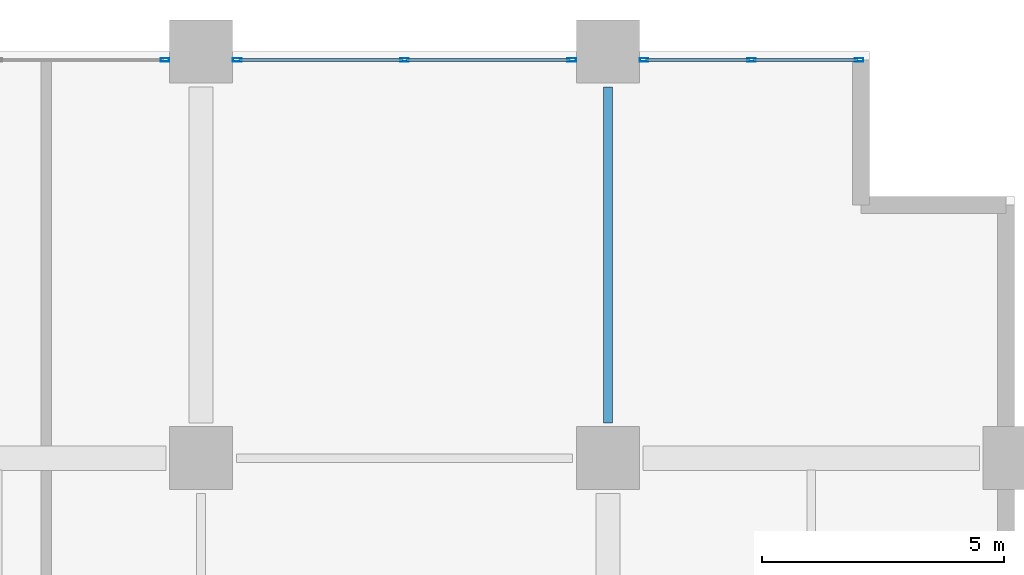
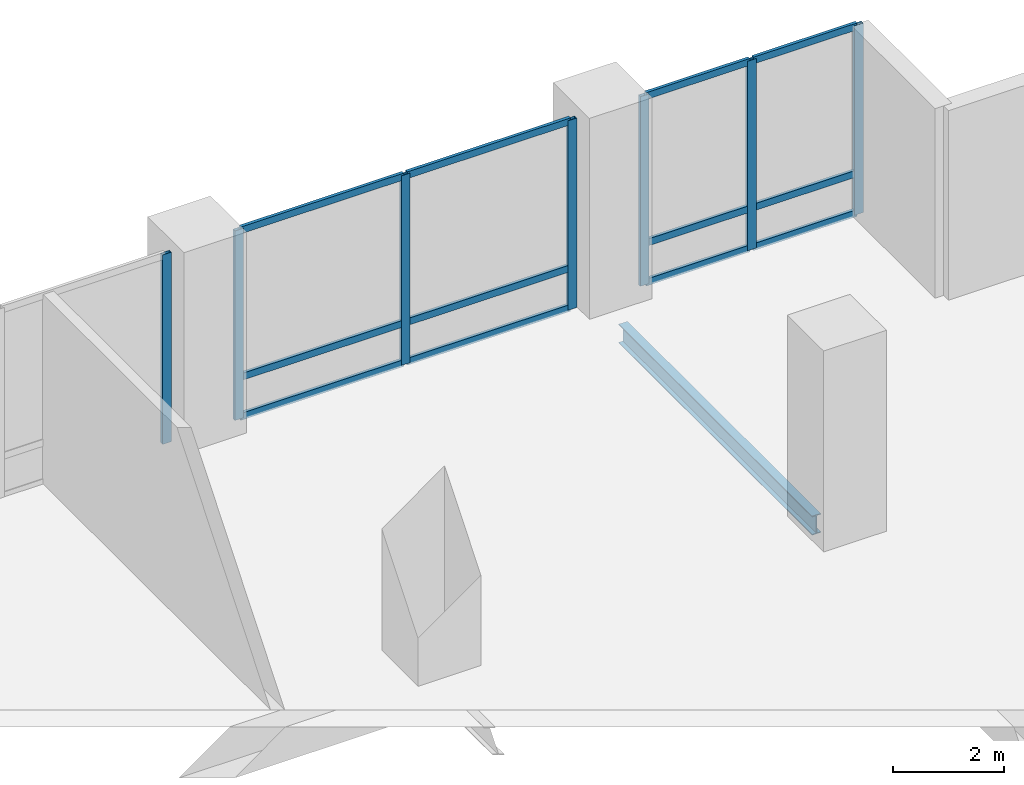
# One storey, part 5 of 21: 19 members, 1 beam, 3 elements without a shape of their own.
"""IFC4 building model written with IfcOpenShell, lengths in metres."""

from ifc_helpers import new_model, si_unit, direction, frame, origin, origin_2d, place, context, subcontext, project, spatial, hollow_rectangle, i_section, extrude, material, layer, layer_set, material_profile, profile_set, type_object, element, aggregate, save


model = new_model("IFC4")

# Units and contexts
model_context = context("Model", 3, precision=1e-05, world=origin(), true_north=direction((0.0, 1.0)))
body_context = subcontext(model_context, "Body", "Model", "MODEL_VIEW")
ifc_project = project(units=[si_unit("LENGTHUNIT", "METRE"), si_unit("AREAUNIT", "SQUARE_METRE"), si_unit("VOLUMEUNIT", "CUBIC_METRE"), si_unit("PLANEANGLEUNIT", "RADIAN"), si_unit("MASSUNIT", "GRAM", prefix="KILO")], contexts=[model_context])

# Site, building, storey
site_placement = place(None, origin())
site = spatial("IfcSite", under=ifc_project, at=site_placement, CompositionType="ELEMENT")
building_placement = place(site_placement, origin())
building = spatial("IfcBuilding", under=site, at=building_placement, Name="Koriwani Terraces Tower", CompositionType="ELEMENT")
storey_placement = place(building_placement, frame((0.0, 0.0, 85.199951171875)))
storey = spatial("IfcBuildingStorey", under=building, at=storey_placement, Name="L20", CompositionType="ELEMENT", Elevation=85.199951171875)

# Curtain wall, member
ifc_material_1 = material(Name="Anodised Bronze Aluminium", Category="aluminium")
ifc_layer = layer(ifc_material_1, 0.179931640625, Name="Anodised Bronze Aluminium")
ifc_layer_set = layer_set([ifc_layer], Name="Anodised Bronze Aluminium")
curtain_wall_type = type_object("IfcCurtainWallType", Name="CW_HOTEL_ZONE2", PredefinedType="NOTDEFINED", material=ifc_layer_set)
curtain_wall_1_placement = place(storey_placement, origin())
curtain_wall_1 = element("IfcCurtainWall", 1, at=curtain_wall_1_placement, inside=storey, type_object=curtain_wall_type, Name="L20 Unitised Curtain Wall (N_TIP) Bay 2", PredefinedType="NOTDEFINED")
ifc_material_profile_1 = material_profile(ifc_material_1, hollow_rectangle(XDim=0.074951171875, YDim=0.179931640625, WallThickness=0.006103515625, at=origin_2d()), Name="Anodised Bronze Aluminium", Category="LoadBearing")
ifc_profile_set_1 = profile_set([ifc_material_profile_1], Name="Anodised Bronze Aluminium")
member_type_1 = type_object("IfcMemberType", Name="CW_MULLION_180X75", PredefinedType="MULLION", material=ifc_profile_set_1)
member_1_placement = place(storey_placement, frame((16.052490234375, 92.22509765625, 0.0), z_axis=(0.0, 0.0, 1.0), x_axis=(0.0, 1.0, 0.0)))
member_1 = element("IfcMember", 2, at=member_1_placement, type_object=member_type_1, Name="CW-Z2 mullion 3", PredefinedType="MULLION", context=body_context, shape_type="SweptSolid", body=[
    extrude(hollow_rectangle(XDim=0.074951171875, YDim=0.179931640625, WallThickness=0.006103515625, at=origin_2d()), origin(), (0.0, 0.0, 1.0), 4.150146484375),
])
aggregate(curtain_wall_1, [member_1])

# Curtain wall, members
curtain_wall_2_placement = place(storey_placement, origin())
curtain_wall_2 = element("IfcCurtainWall", 3, at=curtain_wall_2_placement, inside=storey, type_object=curtain_wall_type, Name="L20 Unitised Curtain Wall (N_TIP) Bay 3", PredefinedType="NOTDEFINED")
member_2_placement = place(storey_placement, frame((17.547607421875, 92.22509765625, 0.0), z_axis=(0.0, 0.0, 1.0), x_axis=(0.0, 1.0, 0.0)))
member_2 = element("IfcMember", 4, at=member_2_placement, type_object=member_type_1, Name="CW-Z2 mullion 1", PredefinedType="MULLION", context=body_context, shape_type="SweptSolid", body=[
    extrude(hollow_rectangle(XDim=0.074951171875, YDim=0.179931640625, WallThickness=0.006103515625, at=origin_2d()), origin(), (0.0, 0.0, 1.0), 4.150146484375),
])
member_3_placement = place(storey_placement, frame((21.0, 92.22509765625, 0.0), z_axis=(0.0, 0.0, 1.0), x_axis=(0.0, 1.0, 0.0)))
member_3 = element("IfcMember", 5, at=member_3_placement, type_object=member_type_1, Name="CW-Z2 mullion 2", PredefinedType="MULLION", context=body_context, shape_type="SweptSolid", body=[
    extrude(hollow_rectangle(XDim=0.074951171875, YDim=0.179931640625, WallThickness=0.006103515625, at=origin_2d()), origin(), (0.0, 0.0, 1.0), 4.150146484375),
])
member_4_placement = place(storey_placement, frame((24.452392578125, 92.22509765625, 0.0), z_axis=(0.0, 0.0, 1.0), x_axis=(0.0, 1.0, 0.0)))
member_4 = element("IfcMember", 6, at=member_4_placement, type_object=member_type_1, Name="CW-Z2 mullion 3", PredefinedType="MULLION", context=body_context, shape_type="SweptSolid", body=[
    extrude(hollow_rectangle(XDim=0.074951171875, YDim=0.179931640625, WallThickness=0.006103515625, at=origin_2d()), origin(), (0.0, 0.0, 1.0), 4.150146484375),
])

curtain_wall_3_placement = place(storey_placement, origin())
curtain_wall_3 = element("IfcCurtainWall", 7, at=curtain_wall_3_placement, inside=storey, type_object=curtain_wall_type, Name="L20 Unitised Curtain Wall (N_TIP) Bay 4", PredefinedType="NOTDEFINED")
member_5_placement = place(storey_placement, frame((25.947509765625, 92.22509765625, 0.0), z_axis=(0.0, 0.0, 1.0), x_axis=(0.0, 1.0, 0.0)))
member_5 = element("IfcMember", 8, at=member_5_placement, type_object=member_type_1, Name="CW-Z2 mullion 1", PredefinedType="MULLION", context=body_context, shape_type="SweptSolid", body=[
    extrude(hollow_rectangle(XDim=0.074951171875, YDim=0.179931640625, WallThickness=0.006103515625, at=origin_2d()), origin(), (0.0, 0.0, 1.0), 4.150146484375),
])
member_6_placement = place(storey_placement, frame((28.16748046875, 92.22509765625, 0.0), z_axis=(0.0, 0.0, 1.0), x_axis=(0.0, 1.0, 0.0)))
member_6 = element("IfcMember", 9, at=member_6_placement, type_object=member_type_1, Name="CW-Z2 mullion 2", PredefinedType="MULLION", context=body_context, shape_type="SweptSolid", body=[
    extrude(hollow_rectangle(XDim=0.074951171875, YDim=0.179931640625, WallThickness=0.006103515625, at=origin_2d()), origin(), (0.0, 0.0, 1.0), 4.150146484375),
])
member_7_placement = place(storey_placement, frame((30.387451171875, 92.22509765625, 0.0), z_axis=(0.0, 0.0, 1.0), x_axis=(0.0, 1.0, 0.0)))
member_7 = element("IfcMember", 10, at=member_7_placement, type_object=member_type_1, Name="CW-Z2 mullion 3", PredefinedType="MULLION", context=body_context, shape_type="SweptSolid", body=[
    extrude(hollow_rectangle(XDim=0.074951171875, YDim=0.179931640625, WallThickness=0.006103515625, at=origin_2d()), origin(), (0.0, 0.0, 1.0), 4.150146484375),
])

# Member
ifc_material_profile_2 = material_profile(ifc_material_1, hollow_rectangle(XDim=0.06494140625, YDim=0.14990234375, WallThickness=0.0048828125, at=origin_2d()), Name="Anodised Bronze Aluminium", Category="LoadBearing")
ifc_profile_set_2 = profile_set([ifc_material_profile_2], Name="Anodised Bronze Aluminium")
member_type_2 = type_object("IfcMemberType", Name="CW_TRANSOM_150X65", PredefinedType="USERDEFINED", material=ifc_profile_set_2)
member_8_placement = place(storey_placement, frame((17.5849609375, 92.22509765625, 0.032470703125), z_axis=(1.0, 0.0, 0.0), x_axis=(0.0, 1.0, 0.0)))
member_8 = element("IfcMember", 11, at=member_8_placement, type_object=member_type_2, Name="CW-Z2 transom 1.1", ObjectType="TRANSOM", PredefinedType="USERDEFINED", context=body_context, shape_type="SweptSolid", body=[
    extrude(hollow_rectangle(XDim=0.06494140625, YDim=0.14990234375, WallThickness=0.0048828125, at=origin_2d()), origin(), (0.0, 0.0, 1.0), 3.37744140625),
])

member_9_placement = place(storey_placement, frame((17.5849609375, 92.22509765625, 0.900146484375), z_axis=(1.0, 0.0, 0.0), x_axis=(0.0, 1.0, 0.0)))
member_9 = element("IfcMember", 12, at=member_9_placement, type_object=member_type_2, Name="CW-Z2 transom 1.2", ObjectType="TRANSOM", PredefinedType="USERDEFINED", context=body_context, shape_type="SweptSolid", body=[
    extrude(hollow_rectangle(XDim=0.06494140625, YDim=0.14990234375, WallThickness=0.0048828125, at=origin_2d()), origin(), (0.0, 0.0, 1.0), 3.37744140625),
])

member_10_placement = place(storey_placement, frame((17.5849609375, 92.22509765625, 4.117431640625), z_axis=(1.0, 0.0, 0.0), x_axis=(0.0, 1.0, 0.0)))
member_10 = element("IfcMember", 13, at=member_10_placement, type_object=member_type_2, Name="CW-Z2 transom 1.3", ObjectType="TRANSOM", PredefinedType="USERDEFINED", context=body_context, shape_type="SweptSolid", body=[
    extrude(hollow_rectangle(XDim=0.06494140625, YDim=0.14990234375, WallThickness=0.0048828125, at=origin_2d()), origin(), (0.0, 0.0, 1.0), 3.37744140625),
])

member_11_placement = place(storey_placement, frame((21.03759765625, 92.22509765625, 0.032470703125), z_axis=(1.0, 0.0, 0.0), x_axis=(0.0, 1.0, 0.0)))
member_11 = element("IfcMember", 14, at=member_11_placement, type_object=member_type_2, Name="CW-Z2 transom 2.1", ObjectType="TRANSOM", PredefinedType="USERDEFINED", context=body_context, shape_type="SweptSolid", body=[
    extrude(hollow_rectangle(XDim=0.06494140625, YDim=0.14990234375, WallThickness=0.0048828125, at=origin_2d()), origin(), (0.0, 0.0, 1.0), 3.37744140625),
])

member_12_placement = place(storey_placement, frame((21.03759765625, 92.22509765625, 0.900146484375), z_axis=(1.0, 0.0, 0.0), x_axis=(0.0, 1.0, 0.0)))
member_12 = element("IfcMember", 15, at=member_12_placement, type_object=member_type_2, Name="CW-Z2 transom 2.2", ObjectType="TRANSOM", PredefinedType="USERDEFINED", context=body_context, shape_type="SweptSolid", body=[
    extrude(hollow_rectangle(XDim=0.06494140625, YDim=0.14990234375, WallThickness=0.0048828125, at=origin_2d()), origin(), (0.0, 0.0, 1.0), 3.37744140625),
])

member_13_placement = place(storey_placement, frame((21.03759765625, 92.22509765625, 4.117431640625), z_axis=(1.0, 0.0, 0.0), x_axis=(0.0, 1.0, 0.0)))
member_13 = element("IfcMember", 16, at=member_13_placement, type_object=member_type_2, Name="CW-Z2 transom 2.3", ObjectType="TRANSOM", PredefinedType="USERDEFINED", context=body_context, shape_type="SweptSolid", body=[
    extrude(hollow_rectangle(XDim=0.06494140625, YDim=0.14990234375, WallThickness=0.0048828125, at=origin_2d()), origin(), (0.0, 0.0, 1.0), 3.37744140625),
])

aggregate(curtain_wall_2, [member_2, member_3, member_4, member_8, member_9, member_10, member_11, member_12, member_13])

member_14_placement = place(storey_placement, frame((25.985107421875, 92.22509765625, 0.032470703125), z_axis=(1.0, 0.0, 0.0), x_axis=(0.0, 1.0, 0.0)))
member_14 = element("IfcMember", 17, at=member_14_placement, type_object=member_type_2, Name="CW-Z2 transom 1.1", ObjectType="TRANSOM", PredefinedType="USERDEFINED", context=body_context, shape_type="SweptSolid", body=[
    extrude(hollow_rectangle(XDim=0.06494140625, YDim=0.14990234375, WallThickness=0.0048828125, at=origin_2d()), origin(), (0.0, 0.0, 1.0), 2.144775390625),
])

member_15_placement = place(storey_placement, frame((25.985107421875, 92.22509765625, 0.900146484375), z_axis=(1.0, 0.0, 0.0), x_axis=(0.0, 1.0, 0.0)))
member_15 = element("IfcMember", 18, at=member_15_placement, type_object=member_type_2, Name="CW-Z2 transom 1.2", ObjectType="TRANSOM", PredefinedType="USERDEFINED", context=body_context, shape_type="SweptSolid", body=[
    extrude(hollow_rectangle(XDim=0.06494140625, YDim=0.14990234375, WallThickness=0.0048828125, at=origin_2d()), origin(), (0.0, 0.0, 1.0), 2.144775390625),
])

member_16_placement = place(storey_placement, frame((25.985107421875, 92.22509765625, 4.117431640625), z_axis=(1.0, 0.0, 0.0), x_axis=(0.0, 1.0, 0.0)))
member_16 = element("IfcMember", 19, at=member_16_placement, type_object=member_type_2, Name="CW-Z2 transom 1.3", ObjectType="TRANSOM", PredefinedType="USERDEFINED", context=body_context, shape_type="SweptSolid", body=[
    extrude(hollow_rectangle(XDim=0.06494140625, YDim=0.14990234375, WallThickness=0.0048828125, at=origin_2d()), origin(), (0.0, 0.0, 1.0), 2.144775390625),
])

member_17_placement = place(storey_placement, frame((28.205078125, 92.22509765625, 0.032470703125), z_axis=(1.0, 0.0, 0.0), x_axis=(0.0, 1.0, 0.0)))
member_17 = element("IfcMember", 20, at=member_17_placement, type_object=member_type_2, Name="CW-Z2 transom 2.1", ObjectType="TRANSOM", PredefinedType="USERDEFINED", context=body_context, shape_type="SweptSolid", body=[
    extrude(hollow_rectangle(XDim=0.06494140625, YDim=0.14990234375, WallThickness=0.0048828125, at=origin_2d()), origin(), (0.0, 0.0, 1.0), 2.14501953125),
])

member_18_placement = place(storey_placement, frame((28.205078125, 92.22509765625, 0.900146484375), z_axis=(1.0, 0.0, 0.0), x_axis=(0.0, 1.0, 0.0)))
member_18 = element("IfcMember", 21, at=member_18_placement, type_object=member_type_2, Name="CW-Z2 transom 2.2", ObjectType="TRANSOM", PredefinedType="USERDEFINED", context=body_context, shape_type="SweptSolid", body=[
    extrude(hollow_rectangle(XDim=0.06494140625, YDim=0.14990234375, WallThickness=0.0048828125, at=origin_2d()), origin(), (0.0, 0.0, 1.0), 2.14501953125),
])

member_19_placement = place(storey_placement, frame((28.205078125, 92.22509765625, 4.117431640625), z_axis=(1.0, 0.0, 0.0), x_axis=(0.0, 1.0, 0.0)))
member_19 = element("IfcMember", 22, at=member_19_placement, type_object=member_type_2, Name="CW-Z2 transom 2.3", ObjectType="TRANSOM", PredefinedType="USERDEFINED", context=body_context, shape_type="SweptSolid", body=[
    extrude(hollow_rectangle(XDim=0.06494140625, YDim=0.14990234375, WallThickness=0.0048828125, at=origin_2d()), origin(), (0.0, 0.0, 1.0), 2.14501953125),
])

aggregate(curtain_wall_3, [member_5, member_6, member_7, member_14, member_15, member_16, member_17, member_18, member_19])

# Beam
ifc_material_2 = material(Name="Steel ASTM A572 Grade 50", Category="steel")
ifc_material_profile_3 = material_profile(ifc_material_2, i_section(OverallWidth=0.180908203125, OverallDepth=0.4169921875, WebThickness=0.010986328125, FlangeThickness=0.018310546875, at=origin_2d()), Name="Steel ASTM A572 Grade 50", Category="LoadBearing")
ifc_profile_set_3 = profile_set([ifc_material_profile_3], Name="Steel ASTM A572 Grade 50")
beam_type = type_object("IfcBeamType", Name="STEEL_BEAM_W410X85", PredefinedType="JOIST", material=ifc_profile_set_3)
beam_placement = place(storey_placement, frame((25.199951171875, 84.72998046875, -0.45849609375), z_axis=(0.0, 1.0, 0.0), x_axis=(-1.0, 0.0, 0.0)))
element("IfcBeam", 23, at=beam_placement, inside=storey, type_object=beam_type, Name="L20 Grid Beam 4 (84.0-92.4m)", PredefinedType="JOIST", context=body_context, shape_type="SweptSolid", body=[
    extrude(i_section(OverallWidth=0.180908203125, OverallDepth=0.4169921875, WebThickness=0.010986328125, FlangeThickness=0.018310546875, at=origin_2d()), origin(), (0.0, 0.0, 1.0), 6.93994140625),
])

save(model, "model.ifc")
